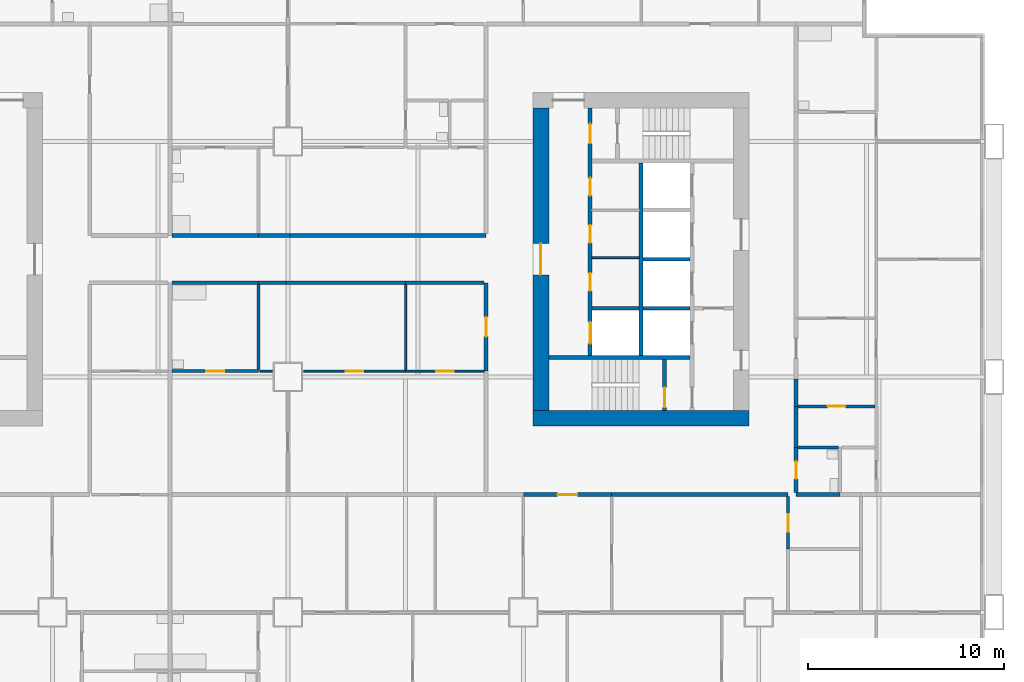
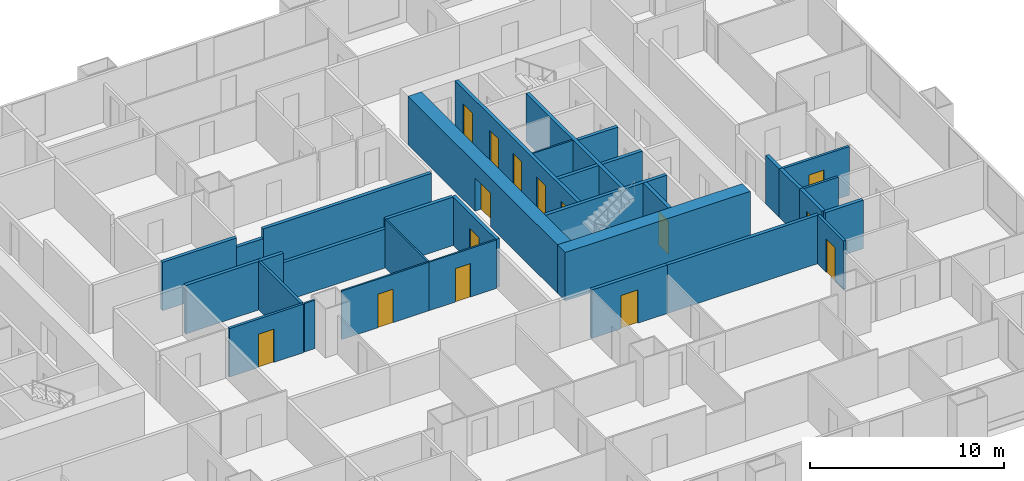
# One storey, part 6 of 13: 33 walls, 15 doors, 15 openings.
"""IFC4 building model written with IfcOpenShell, lengths in metres."""

from ifc_helpers import new_model, si_unit, direction, frame, frame_2d, origin, place, context, subcontext, project, spatial, rectangle, extrude, material, layer, layer_set, type_object, element, fill, save


model = new_model("IFC4")

# Units and contexts
model_context = context("Model", 3, precision=1e-05, world=origin(), true_north=direction((0.0, 1.0)))
body_context = subcontext(model_context, "Body", "Model", "MODEL_VIEW")
ifc_project = project(units=[si_unit("LENGTHUNIT", "METRE"), si_unit("AREAUNIT", "SQUARE_METRE"), si_unit("VOLUMEUNIT", "CUBIC_METRE"), si_unit("PLANEANGLEUNIT", "RADIAN"), si_unit("MASSUNIT", "GRAM", prefix="KILO")], contexts=[model_context])

# Site, building, storey
site_placement = place(None, origin())
site = spatial("IfcSite", under=ifc_project, at=site_placement, CompositionType="ELEMENT")
building_placement = place(site_placement, origin())
building = spatial("IfcBuilding", under=site, at=building_placement, Name="Kitamizu Gate Tower and Museum", CompositionType="ELEMENT")
storey_placement = place(building_placement, frame((0.0, 0.0, 47.25)))
storey = spatial("IfcBuildingStorey", under=building, at=storey_placement, Name="L10", CompositionType="ELEMENT", Elevation=47.25)

# Wall
ifc_material_1 = material(Name="Concrete Fc60", Category="concrete")
ifc_layer_1 = layer(ifc_material_1, 0.800048828125)
ifc_layer_set_1 = layer_set([ifc_layer_1], Name="Concrete Fc60")
wall_type_1 = type_object("IfcWallType", Name="Core wall 800", PredefinedType="SHEAR", material=ifc_layer_set_1)
wall_1_placement = place(storey_placement, frame((59.5, 21.89990234375, 0.0), z_axis=(0.0, 0.0, 1.0), x_axis=(-1.0, 0.0, 0.0)))
element("IfcWall", 1, at=wall_1_placement, inside=storey, type_object=wall_type_1, Name="Core wall ES", PredefinedType="SHEAR", context=body_context, shape_type="SweptSolid", body=[
    extrude(rectangle(XDim=11.0, YDim=0.800048828125, at=frame_2d((5.5, 0.0))), origin(), (0.0, 0.0, 1.0), 3.050048828125),
])

# Wall, opening, door
wall_2_placement = place(storey_placement, frame((48.89990234375, 22.300048828125, 0.0), z_axis=(0.0, 0.0, 1.0), x_axis=(0.0, 1.0, 0.0)))
wall_2 = element("IfcWall", 2, at=wall_2_placement, inside=storey, type_object=wall_type_1, Name="Core wall EARC", PredefinedType="SHEAR", context=body_context, shape_type="SweptSolid", body=[
    extrude(rectangle(XDim=15.39990234375, YDim=0.800048828125, at=frame_2d((7.699951171875, 0.0))), origin(), (0.0, 0.0, 1.0), 3.050048828125),
])
opening_1_placement = place(wall_2_placement, frame((6.89990234375, 0.0, 0.0)))
opening_1 = element("IfcOpeningElement", 3, at=opening_1_placement, cuts=wall_2, Name="Opening L10-099", PredefinedType="OPENING", context=body_context, shape_type="SweptSolid", body=[
    extrude(rectangle(XDim=1.60009765625, YDim=2.10009765625, at=frame_2d((0.800048828125, 1.050048828125))), frame((0.0, 0.41015625, 0.0), z_axis=(0.0, -1.0, 0.0), x_axis=(1.0, 0.0, 0.0)), (0.0, 0.0, 1.0), 0.820068359375),
])
ifc_material_2 = material(Name="Timber door set", Category="wood")
door_type_1 = type_object("IfcDoorType", Name="Entrance door 1600", OperationType="DOUBLE_DOOR_SINGLE_SWING", PredefinedType="DOOR", material=ifc_material_2)
door_1_placement = place(opening_1_placement, origin())
door_1 = element("IfcDoor", 4, at=door_1_placement, inside=storey, type_object=door_type_1, Name="Lobby door L10-099", OperationType="DOUBLE_DOOR_SINGLE_SWING", OverallHeight=2.10009765625, OverallWidth=1.60009765625, PredefinedType="DOOR", context=body_context, shape_type="SweptSolid", body=[
    extrude(rectangle(XDim=1.60009765625, YDim=2.10009765625, at=frame_2d((0.800048828125, 1.050048828125))), frame((0.0, 0.02490234375, 0.0), z_axis=(0.0, -1.0, 0.0), x_axis=(1.0, 0.0, 0.0)), (0.0, 0.0, 1.0), 0.050048828125),
])
fill(opening_1, door_1)

# Walls
ifc_material_3 = material(Name="Gypsum board on galvanised stud")
ifc_layer_2 = layer(ifc_material_3, 0.10009765625)
ifc_layer_set_2 = layer_set([ifc_layer_2], Name="Gypsum board on galvanised stud")
wall_type_2 = type_object("IfcWallType", Name="Partition 100", PredefinedType="PARTITIONING", material=ifc_layer_set_2)
wall_3_placement = place(storey_placement, frame((53.89990234375, 30.08203125, 0.0), z_axis=(0.0, 0.0, 1.0), x_axis=(-1.0, 0.0, 0.0)))
element("IfcWall", 5, at=wall_3_placement, inside=storey, type_object=wall_type_2, Name="Partition EPF1", PredefinedType="PARTITIONING", context=body_context, shape_type="SweptSolid", body=[
    extrude(rectangle(XDim=2.39990234375, YDim=0.10009765625, at=frame_2d((1.199951171875, 0.0))), origin(), (0.0, 0.0, 1.0), 3.050048828125),
])
ifc_material_4 = material(Name="Gypsum board on galvanised stud")
ifc_layer_3 = layer(ifc_material_4, 0.10009765625)
ifc_layer_set_3 = layer_set([ifc_layer_3], Name="Gypsum board on galvanised stud")
wall_type_3 = type_object("IfcWallType", Name="Partition 100 NOT RATED", PredefinedType="PARTITIONING", material=ifc_layer_set_3)
wall_4_placement = place(storey_placement, frame((35.199951171875, 24.300048828125, 0.0), z_axis=(0.0, 0.0, 1.0), x_axis=(-1.0, 0.0, 0.0)))
element("IfcWall", 6, at=wall_4_placement, inside=storey, type_object=wall_type_3, Name="Partition L10-103", PredefinedType="PARTITIONING", context=body_context, shape_type="SweptSolid", body=[
    extrude(rectangle(XDim=0.625, YDim=0.10009765625, at=frame_2d((0.3125, 0.0))), origin(), (0.0, 0.0, 1.0), 3.050048828125),
])

# Wall, opening, door
wall_5_placement = place(storey_placement, frame((42.0, 24.300048828125, 0.0), z_axis=(0.0, 0.0, 1.0), x_axis=(-1.0, 0.0, 0.0)))
wall_5 = element("IfcWall", 7, at=wall_5_placement, inside=storey, type_object=wall_type_3, Name="Partition L10-104", PredefinedType="PARTITIONING", context=body_context, shape_type="SweptSolid", body=[
    extrude(rectangle(XDim=5.199951171875, YDim=0.10009765625, at=frame_2d((2.60009765625, 0.0))), origin(), (0.0, 0.0, 1.0), 3.050048828125),
])
opening_2_placement = place(wall_5_placement, frame((2.14990234375, 0.0, 0.0)))
opening_2 = element("IfcOpeningElement", 8, at=opening_2_placement, cuts=wall_5, Name="Opening L10-041", PredefinedType="OPENING", context=body_context, shape_type="SweptSolid", body=[
    extrude(rectangle(XDim=0.89990234375, YDim=2.10009765625, at=frame_2d((0.449951171875, 1.050048828125))), frame((0.0, 0.06005859375, 0.0), z_axis=(0.0, -1.0, 0.0), x_axis=(1.0, 0.0, 0.0)), (0.0, 0.0, 1.0), 0.1201171875),
])
ifc_material_5 = material(Name="Timber door set", Category="wood")
door_type_2 = type_object("IfcDoorType", Name="Room door 900", OperationType="NOTDEFINED", PredefinedType="DOOR", material=ifc_material_5)
door_2_placement = place(opening_2_placement, frame((0.89990234375, 0.0, 0.0), x_axis=(-1.0, 0.0, 0.0)))
door_2 = element("IfcDoor", 9, at=door_2_placement, inside=storey, type_object=door_type_2, Name="Door L10-041", OperationType="SINGLE_SWING_RIGHT", OverallHeight=2.10009765625, OverallWidth=0.89990234375, PredefinedType="DOOR", context=body_context, shape_type="SweptSolid", body=[
    extrude(rectangle(XDim=0.89990234375, YDim=2.10009765625, at=frame_2d((0.449951171875, 1.050048828125))), frame((0.0, 0.02490234375, 0.0), z_axis=(0.0, -1.0, 0.0), x_axis=(1.0, 0.0, 0.0)), (0.0, 0.0, 1.0), 0.050048828125),
])
fill(opening_2, door_2)

wall_6_placement = place(storey_placement, frame((46.0, 24.300048828125, 0.0), z_axis=(0.0, 0.0, 1.0), x_axis=(-1.0, 0.0, 0.0)))
wall_6 = element("IfcWall", 10, at=wall_6_placement, inside=storey, type_object=wall_type_3, Name="Partition L10-105", PredefinedType="PARTITIONING", context=body_context, shape_type="SweptSolid", body=[
    extrude(rectangle(XDim=4.0, YDim=0.10009765625, at=frame_2d((2.0, 0.0))), origin(), (0.0, 0.0, 1.0), 3.050048828125),
])
opening_3_placement = place(wall_6_placement, frame((1.550048828125, 0.0, 0.0)))
opening_3 = element("IfcOpeningElement", 11, at=opening_3_placement, cuts=wall_6, Name="Opening L10-038", PredefinedType="OPENING", context=body_context, shape_type="SweptSolid", body=[
    extrude(rectangle(XDim=0.89990234375, YDim=2.10009765625, at=frame_2d((0.449951171875, 1.050048828125))), frame((0.0, 0.06005859375, 0.0), z_axis=(0.0, -1.0, 0.0), x_axis=(1.0, 0.0, 0.0)), (0.0, 0.0, 1.0), 0.1201171875),
])
door_3_placement = place(opening_3_placement, origin())
door_3 = element("IfcDoor", 12, at=door_3_placement, inside=storey, type_object=door_type_2, Name="Door L10-038", OperationType="SINGLE_SWING_RIGHT", OverallHeight=2.10009765625, OverallWidth=0.89990234375, PredefinedType="DOOR", context=body_context, shape_type="SweptSolid", body=[
    extrude(rectangle(XDim=0.89990234375, YDim=2.10009765625, at=frame_2d((0.449951171875, 1.050048828125))), frame((0.0, 0.02490234375, 0.0), z_axis=(0.0, -1.0, 0.0), x_axis=(1.0, 0.0, 0.0)), (0.0, 0.0, 1.0), 0.050048828125),
])
fill(opening_3, door_3)

# Wall
wall_7_placement = place(storey_placement, frame((42.0, 24.35009765625, 0.0), z_axis=(0.0, 0.0, 1.0), x_axis=(0.0, 1.0, 0.0)))
element("IfcWall", 13, at=wall_7_placement, inside=storey, type_object=wall_type_3, Name="Partition L10-109", PredefinedType="PARTITIONING", context=body_context, shape_type="SweptSolid", body=[
    extrude(rectangle(XDim=4.349853515625, YDim=0.10009765625, at=frame_2d((2.1748046875, 0.0))), origin(), (0.0, 0.0, 1.0), 3.050048828125),
])

# Wall, opening, door
ifc_material_6 = material(Name="Gypsum board on galvanised stud")
ifc_layer_4 = layer(ifc_material_6, 0.14990234375)
ifc_layer_set_4 = layer_set([ifc_layer_4], Name="Gypsum board on galvanised stud")
wall_type_4 = type_object("IfcWallType", Name="Partition 150", PredefinedType="PARTITIONING", material=ifc_layer_set_4)
wall_8_placement = place(storey_placement, frame((61.5, 15.22900390625, 0.0), z_axis=(0.0, 0.0, 1.0), x_axis=(0.0, 1.0, 0.0)))
wall_8 = element("IfcWall", 14, at=wall_8_placement, inside=storey, type_object=wall_type_4, Name="Partition L10-092", PredefinedType="PARTITIONING", context=body_context, shape_type="SweptSolid", body=[
    extrude(rectangle(XDim=2.6708984375, YDim=0.14990234375, at=frame_2d((1.33544921875, 0.0))), origin(), (0.0, 0.0, 1.0), 3.050048828125),
])
opening_4_placement = place(wall_8_placement, frame((0.885498046875, 0.0, 0.0)))
opening_4 = element("IfcOpeningElement", 15, at=opening_4_placement, cuts=wall_8, Name="Opening L10-036", PredefinedType="OPENING", context=body_context, shape_type="SweptSolid", body=[
    extrude(rectangle(XDim=0.89990234375, YDim=2.10009765625, at=frame_2d((0.449951171875, 1.050048828125))), frame((0.0, 0.0849609375, 0.0), z_axis=(0.0, -1.0, 0.0), x_axis=(1.0, 0.0, 0.0)), (0.0, 0.0, 1.0), 0.169921875),
])
ifc_material_7 = material(Name="Timber door set", Category="wood")
door_type_3 = type_object("IfcDoorType", Name="Bathroom door 900", OperationType="NOTDEFINED", PredefinedType="DOOR", material=ifc_material_7)
door_4_placement = place(opening_4_placement, frame((0.89990234375, 0.0, 0.0), x_axis=(-1.0, 0.0, 0.0)))
door_4 = element("IfcDoor", 16, at=door_4_placement, inside=storey, type_object=door_type_3, Name="Bathroom door L10-036", OperationType="SINGLE_SWING_LEFT", OverallHeight=2.10009765625, OverallWidth=0.89990234375, PredefinedType="DOOR", context=body_context, shape_type="SweptSolid", body=[
    extrude(rectangle(XDim=0.89990234375, YDim=2.10009765625, at=frame_2d((0.449951171875, 1.050048828125))), frame((0.0, 0.02490234375, 0.0), z_axis=(0.0, -1.0, 0.0), x_axis=(1.0, 0.0, 0.0)), (0.0, 0.0, 1.0), 0.050048828125),
])
fill(opening_4, door_4)

wall_9_placement = place(storey_placement, frame((34.5, 24.300048828125, 0.0), z_axis=(0.0, 0.0, 1.0), x_axis=(-1.0, 0.0, 0.0)))
wall_9 = element("IfcWall", 17, at=wall_9_placement, inside=storey, type_object=wall_type_4, Name="Partition L10-102", PredefinedType="PARTITIONING", context=body_context, shape_type="SweptSolid", body=[
    extrude(rectangle(XDim=4.39990234375, YDim=0.14990234375, at=frame_2d((2.199951171875, 0.0))), origin(), (0.0, 0.0, 1.0), 3.050048828125),
])
opening_5_placement = place(wall_9_placement, frame((1.75, 0.0, 0.0)))
opening_5 = element("IfcOpeningElement", 18, at=opening_5_placement, cuts=wall_9, Name="Opening L10-040", PredefinedType="OPENING", context=body_context, shape_type="SweptSolid", body=[
    extrude(rectangle(XDim=0.89990234375, YDim=2.10009765625, at=frame_2d((0.449951171875, 1.050048828125))), frame((0.0, 0.0849609375, 0.0), z_axis=(0.0, -1.0, 0.0), x_axis=(1.0, 0.0, 0.0)), (0.0, 0.0, 1.0), 0.169921875),
])
door_5_placement = place(opening_5_placement, frame((0.89990234375, 0.0, 0.0), x_axis=(-1.0, 0.0, 0.0)))
door_5 = element("IfcDoor", 19, at=door_5_placement, inside=storey, type_object=door_type_3, Name="Bathroom door L10-040", OperationType="SINGLE_SWING_LEFT", OverallHeight=2.10009765625, OverallWidth=0.89990234375, PredefinedType="DOOR", context=body_context, shape_type="SweptSolid", body=[
    extrude(rectangle(XDim=0.89990234375, YDim=2.10009765625, at=frame_2d((0.449951171875, 1.050048828125))), frame((0.0, 0.02490234375, 0.0), z_axis=(0.0, -1.0, 0.0), x_axis=(1.0, 0.0, 0.0)), (0.0, 0.0, 1.0), 0.050048828125),
])
fill(opening_5, door_5)

# Walls
wall_10_placement = place(storey_placement, frame((34.5, 24.375, 0.0), z_axis=(0.0, 0.0, 1.0), x_axis=(0.0, 1.0, 0.0)))
element("IfcWall", 20, at=wall_10_placement, inside=storey, type_object=wall_type_4, Name="Partition L10-107", PredefinedType="PARTITIONING", context=body_context, shape_type="SweptSolid", body=[
    extrude(rectangle(XDim=4.324951171875, YDim=0.14990234375, at=frame_2d((2.16259765625, 0.0))), origin(), (0.0, 0.0, 1.0), 3.050048828125),
])
wall_11_placement = place(storey_placement, frame((64.074951171875, 20.39990234375, 0.0), z_axis=(0.0, 0.0, 1.0), x_axis=(-1.0, 0.0, 0.0)))
element("IfcWall", 21, at=wall_11_placement, inside=storey, type_object=wall_type_4, Name="Partition L10-202", PredefinedType="PARTITIONING", context=body_context, shape_type="SweptSolid", body=[
    extrude(rectangle(XDim=2.074951171875, YDim=0.14990234375, at=frame_2d((1.03759765625, 0.0))), origin(), (0.0, 0.0, 1.0), 3.050048828125),
])

# Wall, opening, door
wall_12_placement = place(storey_placement, frame((65.925048828125, 22.5, 0.0), z_axis=(0.0, 0.0, 1.0), x_axis=(-1.0, 0.0, 0.0)))
wall_12 = element("IfcWall", 22, at=wall_12_placement, inside=storey, type_object=wall_type_4, Name="Partition L10-205", PredefinedType="PARTITIONING", context=body_context, shape_type="SweptSolid", body=[
    extrude(rectangle(XDim=3.925048828125, YDim=0.14990234375, at=frame_2d((1.96240234375, 0.0))), origin(), (0.0, 0.0, 1.0), 3.050048828125),
])
opening_6_placement = place(wall_12_placement, frame((1.512451171875, 0.0, 0.0)))
opening_6 = element("IfcOpeningElement", 23, at=opening_6_placement, cuts=wall_12, Name="Opening L10-075", PredefinedType="OPENING", context=body_context, shape_type="SweptSolid", body=[
    extrude(rectangle(XDim=0.89990234375, YDim=2.10009765625, at=frame_2d((0.449951171875, 1.050048828125))), frame((0.0, 0.0849609375, 0.0), z_axis=(0.0, -1.0, 0.0), x_axis=(1.0, 0.0, 0.0)), (0.0, 0.0, 1.0), 0.169921875),
])
door_6_placement = place(opening_6_placement, origin())
door_6 = element("IfcDoor", 24, at=door_6_placement, inside=storey, type_object=door_type_3, Name="Bathroom door L10-075", OperationType="SINGLE_SWING_RIGHT", OverallHeight=2.10009765625, OverallWidth=0.89990234375, PredefinedType="DOOR", context=body_context, shape_type="SweptSolid", body=[
    extrude(rectangle(XDim=0.89990234375, YDim=2.10009765625, at=frame_2d((0.449951171875, 1.050048828125))), frame((0.0, 0.02490234375, 0.0), z_axis=(0.0, -1.0, 0.0), x_axis=(1.0, 0.0, 0.0)), (0.0, 0.0, 1.0), 0.050048828125),
])
fill(opening_6, door_6)

ifc_material_8 = material(Name="Gypsum board on galvanised stud")
ifc_layer_5 = layer(ifc_material_8, 0.199951171875)
ifc_layer_set_5 = layer_set([ifc_layer_5], Name="Gypsum board on galvanised stud")
wall_type_5 = type_object("IfcWallType", Name="Partition 200", PredefinedType="PARTITIONING", material=ifc_layer_set_5)
wall_13_placement = place(storey_placement, frame((52.5, 18.0, 0.0), z_axis=(0.0, 0.0, 1.0), x_axis=(-1.0, 0.0, 0.0)))
wall_13 = element("IfcWall", 25, at=wall_13_placement, inside=storey, type_object=wall_type_5, Name="Partition L10-090", PredefinedType="PARTITIONING", context=body_context, shape_type="SweptSolid", body=[
    extrude(rectangle(XDim=4.5, YDim=0.199951171875, at=frame_2d((2.25, 0.0))), origin(), (0.0, 0.0, 1.0), 3.050048828125),
])
opening_7_placement = place(wall_13_placement, frame((1.75, 0.0, 0.0)))
opening_7 = element("IfcOpeningElement", 26, at=opening_7_placement, cuts=wall_13, Name="Opening L10-017", PredefinedType="OPENING", context=body_context, shape_type="SweptSolid", body=[
    extrude(rectangle(XDim=1.0, YDim=2.10009765625, at=frame_2d((0.5, 1.050048828125))), frame((0.0, 0.10986328125, 0.0), z_axis=(0.0, -1.0, 0.0), x_axis=(1.0, 0.0, 0.0)), (0.0, 0.0, 1.0), 0.219970703125),
])
ifc_material_9 = material(Name="Timber door set", Category="wood")
door_type_4 = type_object("IfcDoorType", Name="Flat entrance door 1000", OperationType="NOTDEFINED", PredefinedType="DOOR", material=ifc_material_9)
door_7_placement = place(opening_7_placement, origin())
door_7 = element("IfcDoor", 27, at=door_7_placement, inside=storey, type_object=door_type_4, Name="Flat entrance door L10-017", OperationType="SINGLE_SWING_RIGHT", OverallHeight=2.10009765625, OverallWidth=1.0, PredefinedType="DOOR", context=body_context, shape_type="SweptSolid", body=[
    extrude(rectangle(XDim=1.0, YDim=2.10009765625, at=frame_2d((0.5, 1.050048828125))), frame((0.0, 0.02490234375, 0.0), z_axis=(0.0, -1.0, 0.0), x_axis=(1.0, 0.0, 0.0)), (0.0, 0.0, 1.0), 0.050048828125),
])
fill(opening_7, door_7)

# Walls
wall_14_placement = place(storey_placement, frame((61.5, 18.0, 0.0), z_axis=(0.0, 0.0, 1.0), x_axis=(-1.0, 0.0, 0.0)))
element("IfcWall", 28, at=wall_14_placement, inside=storey, type_object=wall_type_5, Name="Partition L10-093", PredefinedType="PARTITIONING", context=body_context, shape_type="SweptSolid", body=[
    extrude(rectangle(XDim=9.0, YDim=0.199951171875, at=frame_2d((4.5, 0.0))), origin(), (0.0, 0.0, 1.0), 3.050048828125),
])
wall_15_placement = place(storey_placement, frame((64.14990234375, 18.0, 0.0), z_axis=(0.0, 0.0, 1.0), x_axis=(-1.0, 0.0, 0.0)))
element("IfcWall", 29, at=wall_15_placement, inside=storey, type_object=wall_type_5, Name="Partition L10-099", PredefinedType="PARTITIONING", context=body_context, shape_type="SweptSolid", body=[
    extrude(rectangle(XDim=2.25, YDim=0.199951171875, at=frame_2d((1.125, 0.0))), origin(), (0.0, 0.0, 1.0), 3.050048828125),
])
wall_16_placement = place(storey_placement, frame((34.5, 28.800048828125, 0.0), z_axis=(0.0, 0.0, 1.0), x_axis=(-1.0, 0.0, 0.0)))
element("IfcWall", 30, at=wall_16_placement, inside=storey, type_object=wall_type_5, Name="Partition L10-108", PredefinedType="PARTITIONING", context=body_context, shape_type="SweptSolid", body=[
    extrude(rectangle(XDim=4.39990234375, YDim=0.199951171875, at=frame_2d((2.199951171875, 0.0))), origin(), (0.0, 0.0, 1.0), 3.050048828125),
])
wall_17_placement = place(storey_placement, frame((42.0, 28.800048828125, 0.0), z_axis=(0.0, 0.0, 1.0), x_axis=(-1.0, 0.0, 0.0)))
element("IfcWall", 31, at=wall_17_placement, inside=storey, type_object=wall_type_5, Name="Partition L10-110", PredefinedType="PARTITIONING", context=body_context, shape_type="SweptSolid", body=[
    extrude(rectangle(XDim=6.10009765625, YDim=0.199951171875, at=frame_2d((3.050048828125, 0.0))), origin(), (0.0, 0.0, 1.0), 2.449951171875),
])
wall_18_placement = place(storey_placement, frame((35.89990234375, 28.800048828125, 0.0), z_axis=(0.0, 0.0, 1.0), x_axis=(-1.0, 0.0, 0.0)))
element("IfcWall", 32, at=wall_18_placement, inside=storey, type_object=wall_type_5, Name="Partition L10-111", PredefinedType="PARTITIONING", context=body_context, shape_type="SweptSolid", body=[
    extrude(rectangle(XDim=1.39990234375, YDim=0.199951171875, at=frame_2d((0.699951171875, 0.0))), origin(), (0.0, 0.0, 1.0), 3.050048828125),
])

# Wall, opening, door
wall_19_placement = place(storey_placement, frame((46.10009765625, 24.300048828125, 0.0), z_axis=(0.0, 0.0, 1.0), x_axis=(0.0, 1.0, 0.0)))
wall_19 = element("IfcWall", 33, at=wall_19_placement, inside=storey, type_object=wall_type_5, Name="Partition L10-112", PredefinedType="PARTITIONING", context=body_context, shape_type="SweptSolid", body=[
    extrude(rectangle(XDim=4.5, YDim=0.199951171875, at=frame_2d((2.25, 0.0))), origin(), (0.0, 0.0, 1.0), 3.050048828125),
])
opening_8_placement = place(wall_19_placement, frame((1.75, 0.0, 0.0)))
opening_8 = element("IfcOpeningElement", 34, at=opening_8_placement, cuts=wall_19, Name="Opening L10-037", PredefinedType="OPENING", context=body_context, shape_type="SweptSolid", body=[
    extrude(rectangle(XDim=1.0, YDim=2.10009765625, at=frame_2d((0.5, 1.050048828125))), frame((0.0, 0.10986328125, 0.0), z_axis=(0.0, -1.0, 0.0), x_axis=(1.0, 0.0, 0.0)), (0.0, 0.0, 1.0), 0.219970703125),
])
door_8_placement = place(opening_8_placement, origin())
door_8 = element("IfcDoor", 35, at=door_8_placement, inside=storey, type_object=door_type_4, Name="Flat entrance door L10-037", OperationType="SINGLE_SWING_LEFT", OverallHeight=2.10009765625, OverallWidth=1.0, PredefinedType="DOOR", context=body_context, shape_type="SweptSolid", body=[
    extrude(rectangle(XDim=1.0, YDim=2.10009765625, at=frame_2d((0.5, 1.050048828125))), frame((0.0, 0.02490234375, 0.0), z_axis=(0.0, -1.0, 0.0), x_axis=(1.0, 0.0, 0.0)), (0.0, 0.0, 1.0), 0.050048828125),
])
fill(opening_8, door_8)

# Walls
wall_20_placement = place(storey_placement, frame((46.0, 28.800048828125, 0.0), z_axis=(0.0, 0.0, 1.0), x_axis=(-1.0, 0.0, 0.0)))
element("IfcWall", 36, at=wall_20_placement, inside=storey, type_object=wall_type_5, Name="Partition L10-113", PredefinedType="PARTITIONING", context=body_context, shape_type="SweptSolid", body=[
    extrude(rectangle(XDim=4.0, YDim=0.199951171875, at=frame_2d((2.0, 0.0))), origin(), (0.0, 0.0, 1.0), 3.050048828125),
])
wall_21_placement = place(storey_placement, frame((30.10009765625, 31.199951171875, 0.0), z_axis=(0.0, 0.0, 1.0), x_axis=(1.0, 0.0, 0.0)))
element("IfcWall", 37, at=wall_21_placement, inside=storey, type_object=wall_type_5, Name="Partition L10-187", PredefinedType="PARTITIONING", context=body_context, shape_type="SweptSolid", body=[
    extrude(rectangle(XDim=4.39990234375, YDim=0.199951171875, at=frame_2d((2.199951171875, 0.0))), origin(), (0.0, 0.0, 1.0), 3.050048828125),
])
wall_22_placement = place(storey_placement, frame((34.5, 31.199951171875, 0.0), z_axis=(0.0, 0.0, 1.0), x_axis=(1.0, 0.0, 0.0)))
element("IfcWall", 38, at=wall_22_placement, inside=storey, type_object=wall_type_5, Name="Partition L10-188", PredefinedType="PARTITIONING", context=body_context, shape_type="SweptSolid", body=[
    extrude(rectangle(XDim=1.60009765625, YDim=0.199951171875, at=frame_2d((0.800048828125, 0.0))), origin(), (0.0, 0.0, 1.0), 2.449951171875),
])
wall_23_placement = place(storey_placement, frame((36.10009765625, 31.199951171875, 0.0), z_axis=(0.0, 0.0, 1.0), x_axis=(1.0, 0.0, 0.0)))
element("IfcWall", 39, at=wall_23_placement, inside=storey, type_object=wall_type_5, Name="Partition L10-189", PredefinedType="PARTITIONING", context=body_context, shape_type="SweptSolid", body=[
    extrude(rectangle(XDim=10.0, YDim=0.199951171875, at=frame_2d((5.0, 0.0))), origin(), (0.0, 0.0, 1.0), 3.050048828125),
])

# Wall, opening, door
wall_24_placement = place(storey_placement, frame((61.89990234375, 20.39990234375, 0.0), z_axis=(0.0, 0.0, 1.0), x_axis=(0.0, -1.0, 0.0)))
wall_24 = element("IfcWall", 40, at=wall_24_placement, inside=storey, type_object=wall_type_5, Name="Partition L10-203", PredefinedType="PARTITIONING", context=body_context, shape_type="SweptSolid", body=[
    extrude(rectangle(XDim=2.2998046875, YDim=0.199951171875, at=frame_2d((1.14990234375, 0.0))), origin(), (0.0, 0.0, 1.0), 3.050048828125),
])
opening_9_placement = place(wall_24_placement, frame((0.699951171875, 0.0, 0.0)))
opening_9 = element("IfcOpeningElement", 41, at=opening_9_placement, cuts=wall_24, Name="Opening L10-077", PredefinedType="OPENING", context=body_context, shape_type="SweptSolid", body=[
    extrude(rectangle(XDim=0.89990234375, YDim=2.10009765625, at=frame_2d((0.449951171875, 1.050048828125))), frame((0.0, 0.10986328125, 0.0), z_axis=(0.0, -1.0, 0.0), x_axis=(1.0, 0.0, 0.0)), (0.0, 0.0, 1.0), 0.219970703125),
])
ifc_material_10 = material(Name="Timber door set", Category="wood")
door_type_5 = type_object("IfcDoorType", Name="Store door 900", OperationType="NOTDEFINED", PredefinedType="DOOR", material=ifc_material_10)
door_9_placement = place(opening_9_placement, origin())
door_9 = element("IfcDoor", 42, at=door_9_placement, inside=storey, type_object=door_type_5, Name="Service entrance door L10-077", OperationType="SINGLE_SWING_RIGHT", OverallHeight=2.10009765625, OverallWidth=0.89990234375, PredefinedType="DOOR", context=body_context, shape_type="SweptSolid", body=[
    extrude(rectangle(XDim=0.89990234375, YDim=2.10009765625, at=frame_2d((0.449951171875, 1.050048828125))), frame((0.0, 0.02490234375, 0.0), z_axis=(0.0, -1.0, 0.0), x_axis=(1.0, 0.0, 0.0)), (0.0, 0.0, 1.0), 0.050048828125),
])
fill(opening_9, door_9)

# Walls
wall_25_placement = place(storey_placement, frame((61.89990234375, 22.5, 0.0), z_axis=(0.0, 0.0, 1.0), x_axis=(0.0, -1.0, 0.0)))
element("IfcWall", 43, at=wall_25_placement, inside=storey, type_object=wall_type_5, Name="Partition L10-206", PredefinedType="PARTITIONING", context=body_context, shape_type="SweptSolid", body=[
    extrude(rectangle(XDim=2.10009765625, YDim=0.199951171875, at=frame_2d((1.050048828125, 0.0))), origin(), (0.0, 0.0, 1.0), 3.050048828125),
])
wall_26_placement = place(storey_placement, frame((61.89990234375, 23.89990234375, 0.0), z_axis=(0.0, 0.0, 1.0), x_axis=(0.0, -1.0, 0.0)))
element("IfcWall", 44, at=wall_26_placement, inside=storey, type_object=wall_type_5, Name="Partition L10-209", PredefinedType="PARTITIONING", context=body_context, shape_type="SweptSolid", body=[
    extrude(rectangle(XDim=1.39990234375, YDim=0.199951171875, at=frame_2d((0.699951171875, 0.0))), origin(), (0.0, 0.0, 1.0), 3.050048828125),
])

# Wall, openings, doors
ifc_material_11 = material(Name="Concrete Fc42", Category="concrete")
ifc_layer_6 = layer(ifc_material_11, 0.199951171875)
ifc_layer_set_6 = layer_set([ifc_layer_6], Name="Concrete Fc42")
wall_type_6 = type_object("IfcWallType", Name="Shaft wall 200", PredefinedType="SOLIDWALL", material=ifc_layer_set_6)
wall_27_placement = place(storey_placement, frame((51.39990234375, 25.10009765625, 0.0), z_axis=(0.0, 0.0, 1.0), x_axis=(0.0, 1.0, 0.0)))
wall_27 = element("IfcWall", 45, at=wall_27_placement, inside=storey, type_object=wall_type_6, Name="Shaft wall EEAST", PredefinedType="SOLIDWALL", context=body_context, shape_type="SweptSolid", body=[
    extrude(rectangle(XDim=12.599853515625, YDim=0.199951171875, at=frame_2d((6.2998046875, 0.0))), origin(), (0.0, 0.0, 1.0), 3.050048828125),
])
opening_10_placement = place(wall_27_placement, frame((0.60009765625, 0.0, 0.0)))
opening_10 = element("IfcOpeningElement", 46, at=opening_10_placement, cuts=wall_27, Name="Opening LD", PredefinedType="OPENING", context=body_context, shape_type="SweptSolid", body=[
    extrude(rectangle(XDim=1.10009765625, YDim=2.10009765625, at=frame_2d((0.550048828125, 1.050048828125))), frame((0.0, 0.10986328125, 0.0), z_axis=(0.0, -1.0, 0.0), x_axis=(1.0, 0.0, 0.0)), (0.0, 0.0, 1.0), 0.219970703125),
])
opening_11_placement = place(wall_27_placement, frame((10.800048828125, 0.0, 0.0)))
opening_11 = element("IfcOpeningElement", 47, at=opening_11_placement, cuts=wall_27, Name="Opening L10-093", PredefinedType="OPENING", context=body_context, shape_type="SweptSolid", body=[
    extrude(rectangle(XDim=1.0, YDim=2.10009765625, at=frame_2d((0.5, 1.050048828125))), frame((0.0, 0.10986328125, 0.0), z_axis=(0.0, -1.0, 0.0), x_axis=(1.0, 0.0, 0.0)), (0.0, 0.0, 1.0), 0.219970703125),
])
opening_12_placement = place(wall_27_placement, frame((3.291015625, 0.0, 0.0)))
opening_12 = element("IfcOpeningElement", 48, at=opening_12_placement, cuts=wall_27, Name="Opening L10-100", PredefinedType="OPENING", context=body_context, shape_type="SweptSolid", body=[
    extrude(rectangle(XDim=0.89990234375, YDim=2.10009765625, at=frame_2d((0.449951171875, 1.050048828125))), frame((0.0, 0.10986328125, 0.0), z_axis=(0.0, -1.0, 0.0), x_axis=(1.0, 0.0, 0.0)), (0.0, 0.0, 1.0), 0.219970703125),
])
opening_13_placement = place(wall_27_placement, frame((5.736572265625, 0.0, 0.0)))
opening_13 = element("IfcOpeningElement", 49, at=opening_13_placement, cuts=wall_27, Name="Opening L10-101", PredefinedType="OPENING", context=body_context, shape_type="SweptSolid", body=[
    extrude(rectangle(XDim=0.89990234375, YDim=2.10009765625, at=frame_2d((0.449951171875, 1.050048828125))), frame((0.0, 0.10986328125, 0.0), z_axis=(0.0, -1.0, 0.0), x_axis=(1.0, 0.0, 0.0)), (0.0, 0.0, 1.0), 0.219970703125),
])
opening_14_placement = place(wall_27_placement, frame((8.1455078125, 0.0, 0.0)))
opening_14 = element("IfcOpeningElement", 50, at=opening_14_placement, cuts=wall_27, Name="Opening L10-102", PredefinedType="OPENING", context=body_context, shape_type="SweptSolid", body=[
    extrude(rectangle(XDim=0.89990234375, YDim=2.10009765625, at=frame_2d((0.449951171875, 1.050048828125))), frame((0.0, 0.10986328125, 0.0), z_axis=(0.0, -1.0, 0.0), x_axis=(1.0, 0.0, 0.0)), (0.0, 0.0, 1.0), 0.219970703125),
])
ifc_material_12 = material(Name="Hollow metal door set")
door_type_6 = type_object("IfcDoorType", Name="Fire door 1000", OperationType="NOTDEFINED", PredefinedType="DOOR", material=ifc_material_12)
door_10_placement = place(opening_11_placement, frame((1.0, 0.0, 0.0), x_axis=(-1.0, 0.0, 0.0)))
door_10 = element("IfcDoor", 51, at=door_10_placement, inside=storey, type_object=door_type_6, Name="Stair lobby door L10-093", OperationType="SINGLE_SWING_RIGHT", OverallHeight=2.10009765625, OverallWidth=1.0, PredefinedType="DOOR", context=body_context, shape_type="SweptSolid", body=[
    extrude(rectangle(XDim=1.0, YDim=2.10009765625, at=frame_2d((0.5, 1.050048828125))), frame((0.0, 0.02490234375, 0.0), z_axis=(0.0, -1.0, 0.0), x_axis=(1.0, 0.0, 0.0)), (0.0, 0.0, 1.0), 0.050048828125),
])
fill(opening_11, door_10)
ifc_material_13 = material(Name="Hollow metal door set")
door_type_7 = type_object("IfcDoorType", Name="Landing door 1100", OperationType="SLIDING_TO_LEFT", PredefinedType="DOOR", material=ifc_material_13)
door_11_placement = place(opening_10_placement, origin())
door_11 = element("IfcDoor", 52, at=door_11_placement, inside=storey, type_object=door_type_7, Name="Landing door ESV1", OperationType="SLIDING_TO_LEFT", OverallHeight=2.10009765625, OverallWidth=1.10009765625, PredefinedType="DOOR", context=body_context, shape_type="SweptSolid", body=[
    extrude(rectangle(XDim=1.10009765625, YDim=2.10009765625, at=frame_2d((0.550048828125, 1.050048828125))), frame((0.0, 0.02490234375, 0.0), z_axis=(0.0, -1.0, 0.0), x_axis=(1.0, 0.0, 0.0)), (0.0, 0.0, 1.0), 0.050048828125),
])
fill(opening_10, door_11)
ifc_material_14 = material(Name="Timber door set", Category="wood")
door_type_8 = type_object("IfcDoorType", Name="Service door 900", OperationType="NOTDEFINED", PredefinedType="DOOR", material=ifc_material_14)
door_12_placement = place(opening_12_placement, frame((0.89990234375, 0.0, 0.0), x_axis=(-1.0, 0.0, 0.0)))
door_12 = element("IfcDoor", 53, at=door_12_placement, inside=storey, type_object=door_type_8, Name="Service door L10-100", OperationType="SINGLE_SWING_RIGHT", OverallHeight=2.10009765625, OverallWidth=0.89990234375, PredefinedType="DOOR", context=body_context, shape_type="SweptSolid", body=[
    extrude(rectangle(XDim=0.89990234375, YDim=2.10009765625, at=frame_2d((0.449951171875, 1.050048828125))), frame((0.0, 0.02490234375, 0.0), z_axis=(0.0, -1.0, 0.0), x_axis=(1.0, 0.0, 0.0)), (0.0, 0.0, 1.0), 0.050048828125),
])
fill(opening_12, door_12)
door_13_placement = place(opening_13_placement, frame((0.89990234375, 0.0, 0.0), x_axis=(-1.0, 0.0, 0.0)))
door_13 = element("IfcDoor", 54, at=door_13_placement, inside=storey, type_object=door_type_8, Name="Service door L10-101", OperationType="SINGLE_SWING_LEFT", OverallHeight=2.10009765625, OverallWidth=0.89990234375, PredefinedType="DOOR", context=body_context, shape_type="SweptSolid", body=[
    extrude(rectangle(XDim=0.89990234375, YDim=2.10009765625, at=frame_2d((0.449951171875, 1.050048828125))), frame((0.0, 0.02490234375, 0.0), z_axis=(0.0, -1.0, 0.0), x_axis=(1.0, 0.0, 0.0)), (0.0, 0.0, 1.0), 0.050048828125),
])
fill(opening_13, door_13)
door_14_placement = place(opening_14_placement, frame((0.89990234375, 0.0, 0.0), x_axis=(-1.0, 0.0, 0.0)))
door_14 = element("IfcDoor", 55, at=door_14_placement, inside=storey, type_object=door_type_8, Name="Service door L10-102", OperationType="SINGLE_SWING_RIGHT", OverallHeight=2.10009765625, OverallWidth=0.89990234375, PredefinedType="DOOR", context=body_context, shape_type="SweptSolid", body=[
    extrude(rectangle(XDim=0.89990234375, YDim=2.10009765625, at=frame_2d((0.449951171875, 1.050048828125))), frame((0.0, 0.02490234375, 0.0), z_axis=(0.0, -1.0, 0.0), x_axis=(1.0, 0.0, 0.0)), (0.0, 0.0, 1.0), 0.050048828125),
])
fill(opening_14, door_14)

# Walls
wall_28_placement = place(storey_placement, frame((54.0, 25.10009765625, 0.0), z_axis=(0.0, 0.0, 1.0), x_axis=(0.0, 1.0, 0.0)))
element("IfcWall", 56, at=wall_28_placement, inside=storey, type_object=wall_type_6, Name="Shaft wall EMID", PredefinedType="SOLIDWALL", context=body_context, shape_type="SweptSolid", body=[
    extrude(rectangle(XDim=9.7998046875, YDim=0.199951171875, at=frame_2d((4.89990234375, 0.0))), origin(), (0.0, 0.0, 1.0), 3.050048828125),
])
wall_29_placement = place(storey_placement, frame((56.5, 25.0, 0.0), z_axis=(0.0, 0.0, 1.0), x_axis=(-1.0, 0.0, 0.0)))
element("IfcWall", 57, at=wall_29_placement, inside=storey, type_object=wall_type_6, Name="Shaft wall ESB", PredefinedType="SOLIDWALL", context=body_context, shape_type="SweptSolid", body=[
    extrude(rectangle(XDim=7.199951171875, YDim=0.199951171875, at=frame_2d((3.60009765625, 0.0))), origin(), (0.0, 0.0, 1.0), 3.050048828125),
])

# Wall, opening, door
wall_30_placement = place(storey_placement, frame((55.199951171875, 22.300048828125, 0.0), z_axis=(0.0, 0.0, 1.0), x_axis=(0.0, 1.0, 0.0)))
wall_30 = element("IfcWall", 58, at=wall_30_placement, inside=storey, type_object=wall_type_6, Name="Shaft wall ESZ", PredefinedType="SOLIDWALL", context=body_context, shape_type="SweptSolid", body=[
    extrude(rectangle(XDim=2.599853515625, YDim=0.199951171875, at=frame_2d((1.2998046875, 0.0))), origin(), (0.0, 0.0, 1.0), 3.050048828125),
])
opening_15_placement = place(wall_30_placement, frame((0.14990234375, 0.0, 0.0)))
opening_15 = element("IfcOpeningElement", 59, at=opening_15_placement, cuts=wall_30, Name="Opening L10-091", PredefinedType="OPENING", context=body_context, shape_type="SweptSolid", body=[
    extrude(rectangle(XDim=1.0, YDim=2.10009765625, at=frame_2d((0.5, 1.050048828125))), frame((0.0, 0.10986328125, 0.0), z_axis=(0.0, -1.0, 0.0), x_axis=(1.0, 0.0, 0.0)), (0.0, 0.0, 1.0), 0.219970703125),
])
door_15_placement = place(opening_15_placement, origin())
door_15 = element("IfcDoor", 60, at=door_15_placement, inside=storey, type_object=door_type_6, Name="Stair door L10-091", OperationType="SINGLE_SWING_RIGHT", OverallHeight=2.10009765625, OverallWidth=1.0, PredefinedType="DOOR", context=body_context, shape_type="SweptSolid", body=[
    extrude(rectangle(XDim=1.0, YDim=2.10009765625, at=frame_2d((0.5, 1.050048828125))), frame((0.0, 0.02490234375, 0.0), z_axis=(0.0, -1.0, 0.0), x_axis=(1.0, 0.0, 0.0)), (0.0, 0.0, 1.0), 0.050048828125),
])
fill(opening_15, door_15)

# Walls
for number, where, z_axis, x_axis, name in (
    (61, (56.5, 27.5, 0.0), (0.0, 0.0, 1.0), (-1.0, 0.0, 0.0), "Shaft wall EDVW0"),
    (62, (56.5, 30.0, 0.0), (0.0, 0.0, 1.0), (-1.0, 0.0, 0.0), "Shaft wall EDVW1"),
    (63, (53.89990234375, 27.5, 0.0), (0.0, 0.0, 1.0), (-1.0, 0.0, 0.0), "Shaft wall EDVE0"),
):
    element("IfcWall", number, at=place(storey_placement, frame(where, z_axis=z_axis, x_axis=x_axis)), inside=storey, type_object=wall_type_6, Name=name, PredefinedType="SOLIDWALL", context=body_context, shape_type="SweptSolid", body=[
        extrude(rectangle(XDim=2.39990234375, YDim=0.199951171875, at=frame_2d((1.199951171875, 0.0))), origin(), (0.0, 0.0, 1.0), 3.050048828125),
    ])

save(model, "model.ifc")
